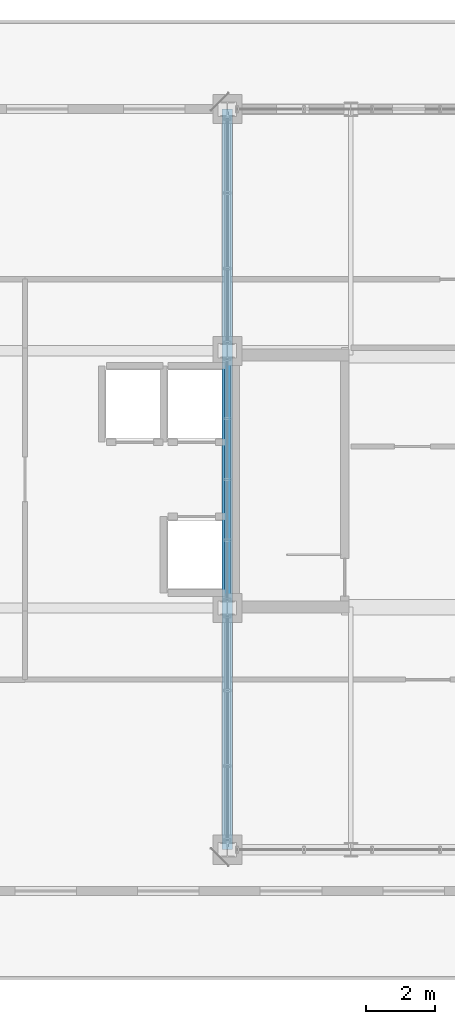
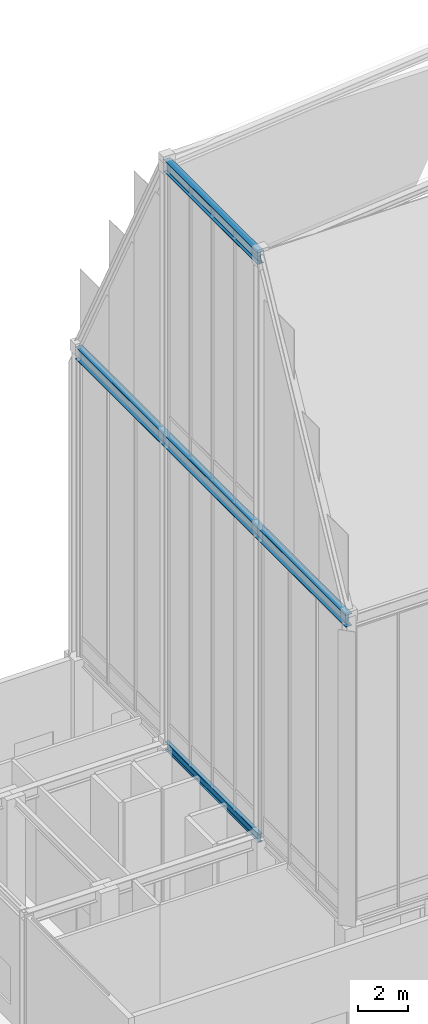
# One storey, part 8 of 49: 3 beams.
"""IFC4 building model written with IfcOpenShell, lengths in metres."""

from ifc_helpers import new_model, si_unit, direction, frame, origin, origin_2d, place, context, subcontext, project, spatial, i_section, extrude, source, transform, mapped, material, material_profile, profile_set, type_object, element, save


model = new_model("IFC4")

# Units and contexts
model_context = context("Model", 3, precision=1e-05, world=origin(), true_north=direction((0.0, 1.0)))
body_context = subcontext(model_context, "Body", "Model", "MODEL_VIEW")
ifc_project = project(units=[si_unit("LENGTHUNIT", "METRE"), si_unit("AREAUNIT", "SQUARE_METRE"), si_unit("VOLUMEUNIT", "CUBIC_METRE"), si_unit("PLANEANGLEUNIT", "RADIAN"), si_unit("MASSUNIT", "GRAM", prefix="KILO")], contexts=[model_context])

# Site, building, storey
site_placement = place(None, origin())
site = spatial("IfcSite", under=ifc_project, at=site_placement, CompositionType="ELEMENT")
building_placement = place(site_placement, origin())
building = spatial("IfcBuilding", under=site, at=building_placement, Name="Kaliganga Portal Commons", CompositionType="ELEMENT")
storey_placement = place(building_placement, frame((0.0, 0.0, 298.0)))
storey = spatial("IfcBuildingStorey", under=building, at=storey_placement, Name="L77", CompositionType="ELEMENT", Elevation=298.0)

# Beams
ifc_material_1 = material(Name="Structural steel S355J2", Category="steel")
ifc_material_profile_1 = material_profile(ifc_material_1, i_section(OverallWidth=0.179931640625, OverallDepth=0.39990234375, WebThickness=0.008544921875, FlangeThickness=0.013427734375, FilletRadius=0.02099609375, at=origin_2d()), Name="IPE 400")
ifc_profile_set_1 = profile_set([ifc_material_profile_1], Name="Structural steel S355J2 wide-flange")
beam_type_1 = type_object("IfcBeamType", Name="BM-FLR-400", PredefinedType="BEAM", material=ifc_profile_set_1)
shared_shape_1 = source(origin(), body_context, "Body", "SweptSolid", [
    extrude(i_section(OverallWidth=0.179931640625, OverallDepth=0.39990234375, WebThickness=0.008544921875, FlangeThickness=0.013427734375, FilletRadius=0.02099609375, at=origin_2d()), origin(), (0.0, 0.0, 1.0), 7.5),
])
beam_1_placement = place(storey_placement, frame((14.39990234375, 28.64990234375, 5.800048828125), z_axis=(0.0, 1.0, 0.0), x_axis=(-1.0, 0.0, 0.0)))
element("IfcBeam", 1, at=beam_1_placement, inside=storey, type_object=beam_type_1, Name="BM G L77 AM144", PredefinedType="BEAM", context=body_context, shape_type="MappedRepresentation", body=[
    mapped(shared_shape_1, transform((0.0, 0.0, 0.0), x_axis=(1.0, 0.0, 0.0), y_axis=(0.0, 1.0, 0.0), z_axis=(0.0, 0.0, 1.0), scale=1.0)),
])
ifc_material_2 = material(Name="Structural steel S460M", Category="steel")
ifc_material_profile_2 = material_profile(ifc_material_2, i_section(OverallWidth=0.300048828125, OverallDepth=0.60009765625, WebThickness=0.015380859375, FlangeThickness=0.030029296875, FilletRadius=0.027099609375, at=origin_2d()), Name="HE 600 B")
ifc_profile_set_2 = profile_set([ifc_material_profile_2], Name="Structural steel S460M wide-flange")
beam_type_2 = type_object("IfcBeamType", Name="BM-CROWN-RING", PredefinedType="USERDEFINED", material=ifc_profile_set_2)
shared_shape_2 = source(origin(), body_context, "Body", "SweptSolid", [
    extrude(i_section(OverallWidth=0.300048828125, OverallDepth=0.60009765625, WebThickness=0.015380859375, FlangeThickness=0.030029296875, FilletRadius=0.027099609375, at=origin_2d()), origin(), (0.0, 0.0, 1.0), 21.599853515625),
])
beam_2_placement = place(storey_placement, frame((14.39990234375, 43.199951171875, 20.699951171875), z_axis=(0.0, -1.0, 0.0), x_axis=(1.0, 0.0, 0.0)))
element("IfcBeam", 2, at=beam_2_placement, inside=storey, type_object=beam_type_2, Name="BM CROWN MID W", ObjectType="CROWN FRAME", PredefinedType="USERDEFINED", context=body_context, shape_type="MappedRepresentation", body=[
    mapped(shared_shape_2, transform((0.0, 0.0, 0.0), x_axis=(1.0, 0.0, 0.0), y_axis=(0.0, 1.0, 0.0), z_axis=(0.0, 0.0, 1.0), scale=1.0)),
])
shared_shape_3 = source(origin(), body_context, "Body", "SweptSolid", [
    extrude(i_section(OverallWidth=0.300048828125, OverallDepth=0.60009765625, WebThickness=0.015380859375, FlangeThickness=0.030029296875, FilletRadius=0.027099609375, at=origin_2d()), origin(), (0.0, 0.0, 1.0), 7.5),
])
beam_3_placement = place(storey_placement, frame((14.39990234375, 36.14990234375, 34.110107421875), z_axis=(0.0, -1.0, 0.0), x_axis=(1.0, 0.0, 0.0)))
element("IfcBeam", 3, at=beam_3_placement, inside=storey, type_object=beam_type_2, Name="BM CROWN PEAK W", ObjectType="CROWN FRAME", PredefinedType="USERDEFINED", context=body_context, shape_type="MappedRepresentation", body=[
    mapped(shared_shape_3, transform((0.0, 0.0, 0.0), x_axis=(1.0, 0.0, 0.0), y_axis=(0.0, 1.0, 0.0), z_axis=(0.0, 0.0, 1.0), scale=1.0)),
])

save(model, "model.ifc")
